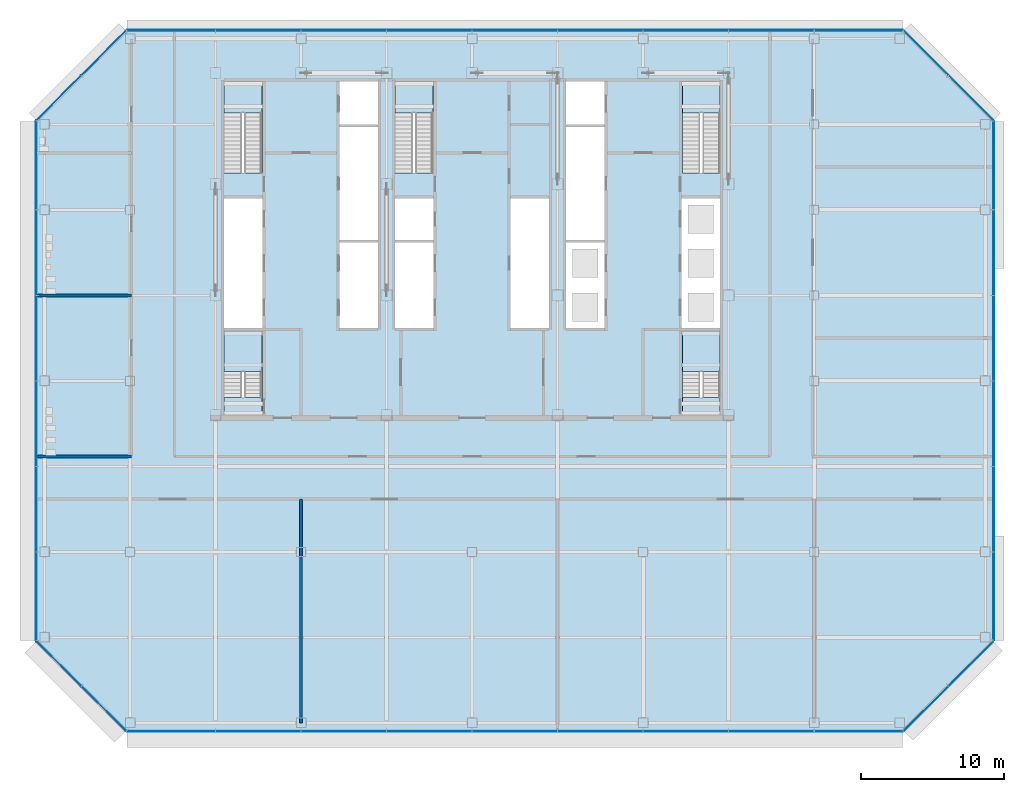
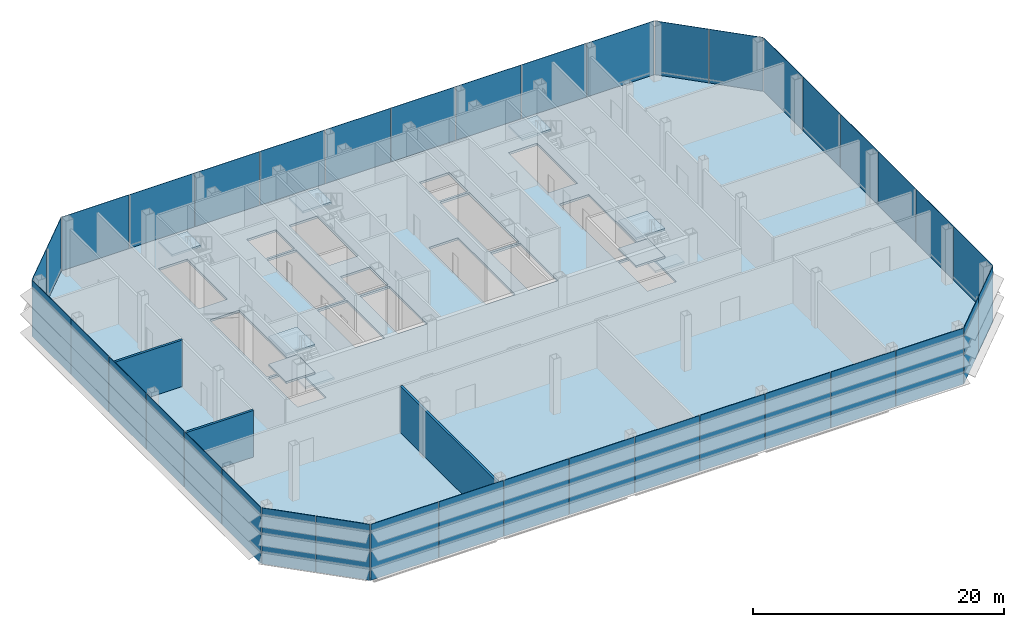
# One storey, part 15 of 24: 38 plates, 10 slabs, 3 walls, 13 elements without a shape of their own.
"""IFC4 building model written with IfcOpenShell, lengths in metres."""

from ifc_helpers import new_model, si_unit, direction, frame, frame_2d, origin, origin_2d, place, context, subcontext, project, spatial, polyline, rectangle, outline, extrude, material, layer, layer_set, type_object, element, aggregate, save


model = new_model("IFC4")

# Units and contexts
model_context = context("Model", 3, precision=1e-05, world=origin(), true_north=direction((0.0, 1.0)))
body_context = subcontext(model_context, "Body", "Model", "MODEL_VIEW")
ifc_project = project(units=[si_unit("LENGTHUNIT", "METRE"), si_unit("AREAUNIT", "SQUARE_METRE"), si_unit("VOLUMEUNIT", "CUBIC_METRE"), si_unit("PLANEANGLEUNIT", "RADIAN"), si_unit("MASSUNIT", "GRAM", prefix="KILO")], contexts=[model_context])

# Site, building, storey
site_placement = place(None, origin())
site = spatial("IfcSite", under=ifc_project, at=site_placement, CompositionType="ELEMENT")
building_placement = place(site_placement, origin())
building = spatial("IfcBuilding", under=site, at=building_placement, Name="Sorahane Residences", CompositionType="ELEMENT")
storey_placement = place(building_placement, frame((0.0, 0.0, 161.800048828125)))
storey = spatial("IfcBuildingStorey", under=building, at=storey_placement, Name="L37", CompositionType="ELEMENT", Elevation=161.800048828125)

# Slab
ifc_material_1 = material(Name="Concrete C35", Category="concrete")
ifc_layer_1 = layer(ifc_material_1, 0.219970703125)
ifc_layer_set_1 = layer_set([ifc_layer_1], Name="Composite floor slab 220 mm Concrete C35")
slab_type_1 = type_object("IfcSlabType", Name="Composite floor slab 220 mm Concrete C35", PredefinedType="FLOOR", material=ifc_layer_set_1)
slab_1_placement = place(storey_placement, frame((0.0, 0.0, -0.219970703125)))
element("IfcSlab", 1, at=slab_1_placement, inside=storey, type_object=slab_type_1, Name="Slab L37", PredefinedType="FLOOR", context=body_context, shape_type="SweptSolid", body=[
    extrude(outline(polyline([(-0.24853515625, -0.60009765625), (-6.60009765625, 5.75146484375), (-6.60009765625, 42.24853515625), (-0.24853515625, 48.60009765625), (54.24853515625, 48.60009765625), (60.60009765625, 42.24853515625), (60.60009765625, 5.75146484375), (54.24853515625, -0.60009765625), (-0.24853515625, -0.60009765625)]), holes=[polyline([(18.60009765625, 27.699951171875), (21.300048828125, 27.699951171875), (21.300048828125, 33.699951171875), (18.60009765625, 33.699951171875), (18.60009765625, 27.699951171875)]), polyline([(38.699951171875, 27.699951171875), (41.39990234375, 27.699951171875), (41.39990234375, 36.800048828125), (38.699951171875, 36.800048828125), (38.699951171875, 27.699951171875)]), polyline([(30.60009765625, 27.699951171875), (33.300048828125, 27.699951171875), (33.300048828125, 33.699951171875), (30.60009765625, 33.699951171875), (30.60009765625, 27.699951171875)]), polyline([(30.60009765625, 42.0), (33.300048828125, 42.0), (33.300048828125, 45.0), (30.60009765625, 45.0), (30.60009765625, 42.0)]), polyline([(14.699951171875, 27.699951171875), (17.39990234375, 27.699951171875), (17.39990234375, 33.699951171875), (14.699951171875, 33.699951171875), (14.699951171875, 27.699951171875)]), polyline([(14.699951171875, 42.0), (17.39990234375, 42.0), (17.39990234375, 45.0), (14.699951171875, 45.0), (14.699951171875, 42.0)]), polyline([(6.60009765625, 27.699951171875), (9.300048828125, 27.699951171875), (9.300048828125, 36.800048828125), (6.60009765625, 36.800048828125), (6.60009765625, 27.699951171875)]), polyline([(9.25, 38.60009765625), (9.25, 45.0), (6.60009765625, 45.0), (6.60009765625, 38.60009765625), (9.25, 38.60009765625)]), polyline([(41.39990234375, 38.60009765625), (41.39990234375, 45.0), (38.75, 45.0), (38.75, 38.60009765625), (41.39990234375, 38.60009765625)]), polyline([(21.25, 38.60009765625), (21.25, 45.0), (18.60009765625, 45.0), (18.60009765625, 38.60009765625), (21.25, 38.60009765625)]), polyline([(9.25, 22.85009765625), (9.25, 27.5), (6.60009765625, 27.5), (6.60009765625, 22.85009765625), (9.25, 22.85009765625)]), polyline([(41.39990234375, 22.85009765625), (41.39990234375, 27.5), (38.75, 27.5), (38.75, 22.85009765625), (41.39990234375, 22.85009765625)]), polyline([(14.699951171875, 33.89990234375), (17.39990234375, 33.89990234375), (17.39990234375, 41.800048828125), (14.699951171875, 41.800048828125), (14.699951171875, 33.89990234375)]), polyline([(30.60009765625, 33.89990234375), (33.300048828125, 33.89990234375), (33.300048828125, 41.800048828125), (30.60009765625, 41.800048828125), (30.60009765625, 33.89990234375)]), polyline([(18.60009765625, 33.89990234375), (21.300048828125, 33.89990234375), (21.300048828125, 36.800048828125), (18.60009765625, 36.800048828125), (18.60009765625, 33.89990234375)]), polyline([(26.699951171875, 27.699951171875), (29.39990234375, 27.699951171875), (29.39990234375, 36.800048828125), (26.699951171875, 36.800048828125), (26.699951171875, 27.699951171875)])]), origin(), (0.0, 0.0, 1.0), 0.219970703125),
])

# Curtain wall, plates
ifc_material_2 = material(Name="Dark low-e glass and black anodised aluminium", Category="aluminium")
curtain_wall_type = type_object("IfcCurtainWallType", Name="Curtain wall CW-4 Sky floor frameless wall", PredefinedType="NOTDEFINED", material=ifc_material_2)
curtain_wall_1_placement = place(storey_placement, origin())
curtain_wall_1 = element("IfcCurtainWall", 2, at=curtain_wall_1_placement, inside=storey, type_object=curtain_wall_type, Name="CW-4 curtain wall L37 S1", PredefinedType="NOTDEFINED")
ifc_material_3 = material(Name="Dark low-e glass with black ceramic frit", Category="glass")
ifc_layer_2 = layer(ifc_material_3, 0.0400390625)
ifc_layer_set_2 = layer_set([ifc_layer_2], Name="Curtain wall glass panel dark low-e frameless with black frit band")
plate_type = type_object("IfcPlateType", Name="Curtain wall glass panel dark low-e frameless with black frit band", PredefinedType="CURTAIN_PANEL", material=ifc_layer_set_2)
plate_1_placement = place(storey_placement, frame((2.88818359375, -0.60009765625, -0.219970703125), z_axis=(0.0, 0.0, 1.0), x_axis=(1.0, 0.0, 0.0)))
plate_1 = element("IfcPlate", 3, at=plate_1_placement, type_object=plate_type, Name="CW-4 glass panel L37 S1.1", PredefinedType="CURTAIN_PANEL", context=body_context, shape_type="SweptSolid", body=[
    extrude(rectangle(XDim=6.173583984375, YDim=0.0400390625, at=origin_2d()), origin(), (0.0, 0.0, 1.0), 5.43994140625),
])
plate_2_placement = place(storey_placement, frame((9.0, -0.60009765625, -0.219970703125), z_axis=(0.0, 0.0, 1.0), x_axis=(1.0, 0.0, 0.0)))
plate_2 = element("IfcPlate", 4, at=plate_2_placement, type_object=plate_type, Name="CW-4 glass panel L37 S1.2", PredefinedType="CURTAIN_PANEL", context=body_context, shape_type="SweptSolid", body=[
    extrude(rectangle(XDim=5.949951171875, YDim=0.0400390625, at=origin_2d()), origin(), (0.0, 0.0, 1.0), 5.43994140625),
])
plate_3_placement = place(storey_placement, frame((15.0, -0.60009765625, -0.219970703125), z_axis=(0.0, 0.0, 1.0), x_axis=(1.0, 0.0, 0.0)))
plate_3 = element("IfcPlate", 5, at=plate_3_placement, type_object=plate_type, Name="CW-4 glass panel L37 S1.3", PredefinedType="CURTAIN_PANEL", context=body_context, shape_type="SweptSolid", body=[
    extrude(rectangle(XDim=5.949951171875, YDim=0.0400390625, at=origin_2d()), origin(), (0.0, 0.0, 1.0), 5.43994140625),
])
plate_4_placement = place(storey_placement, frame((21.0, -0.60009765625, -0.219970703125), z_axis=(0.0, 0.0, 1.0), x_axis=(1.0, 0.0, 0.0)))
plate_4 = element("IfcPlate", 6, at=plate_4_placement, type_object=plate_type, Name="CW-4 glass panel L37 S1.4", PredefinedType="CURTAIN_PANEL", context=body_context, shape_type="SweptSolid", body=[
    extrude(rectangle(XDim=5.949951171875, YDim=0.0400390625, at=origin_2d()), origin(), (0.0, 0.0, 1.0), 5.43994140625),
])
plate_5_placement = place(storey_placement, frame((27.0, -0.60009765625, -0.219970703125), z_axis=(0.0, 0.0, 1.0), x_axis=(1.0, 0.0, 0.0)))
plate_5 = element("IfcPlate", 7, at=plate_5_placement, type_object=plate_type, Name="CW-4 glass panel L37 S1.5", PredefinedType="CURTAIN_PANEL", context=body_context, shape_type="SweptSolid", body=[
    extrude(rectangle(XDim=5.949951171875, YDim=0.0400390625, at=origin_2d()), origin(), (0.0, 0.0, 1.0), 5.43994140625),
])
plate_6_placement = place(storey_placement, frame((33.0, -0.60009765625, -0.219970703125), z_axis=(0.0, 0.0, 1.0), x_axis=(1.0, 0.0, 0.0)))
plate_6 = element("IfcPlate", 8, at=plate_6_placement, type_object=plate_type, Name="CW-4 glass panel L37 S1.6", PredefinedType="CURTAIN_PANEL", context=body_context, shape_type="SweptSolid", body=[
    extrude(rectangle(XDim=5.949951171875, YDim=0.0400390625, at=origin_2d()), origin(), (0.0, 0.0, 1.0), 5.43994140625),
])
plate_7_placement = place(storey_placement, frame((39.0, -0.60009765625, -0.219970703125), z_axis=(0.0, 0.0, 1.0), x_axis=(1.0, 0.0, 0.0)))
plate_7 = element("IfcPlate", 9, at=plate_7_placement, type_object=plate_type, Name="CW-4 glass panel L37 S1.7", PredefinedType="CURTAIN_PANEL", context=body_context, shape_type="SweptSolid", body=[
    extrude(rectangle(XDim=5.949951171875, YDim=0.0400390625, at=origin_2d()), origin(), (0.0, 0.0, 1.0), 5.43994140625),
])
plate_8_placement = place(storey_placement, frame((45.0, -0.60009765625, -0.219970703125), z_axis=(0.0, 0.0, 1.0), x_axis=(1.0, 0.0, 0.0)))
plate_8 = element("IfcPlate", 10, at=plate_8_placement, type_object=plate_type, Name="CW-4 glass panel L37 S1.8", PredefinedType="CURTAIN_PANEL", context=body_context, shape_type="SweptSolid", body=[
    extrude(rectangle(XDim=5.949951171875, YDim=0.0400390625, at=origin_2d()), origin(), (0.0, 0.0, 1.0), 5.43994140625),
])
plate_9_placement = place(storey_placement, frame((51.11181640625, -0.60009765625, -0.219970703125), z_axis=(0.0, 0.0, 1.0), x_axis=(1.0, 0.0, 0.0)))
plate_9 = element("IfcPlate", 11, at=plate_9_placement, type_object=plate_type, Name="CW-4 glass panel L37 S1.9", PredefinedType="CURTAIN_PANEL", context=body_context, shape_type="SweptSolid", body=[
    extrude(rectangle(XDim=6.173583984375, YDim=0.0400390625, at=origin_2d()), origin(), (0.0, 0.0, 1.0), 5.43994140625),
])
aggregate(curtain_wall_1, [plate_1, plate_2, plate_3, plate_4, plate_5, plate_6, plate_7, plate_8, plate_9])

curtain_wall_2_placement = place(storey_placement, origin())
curtain_wall_2 = element("IfcCurtainWall", 12, at=curtain_wall_2_placement, inside=storey, type_object=curtain_wall_type, Name="CW-4 curtain wall L37 SE1", PredefinedType="NOTDEFINED")
plate_10_placement = place(storey_placement, frame((55.84521484375, 0.996826171875, -0.219970703125), z_axis=(0.0, 0.0, 1.0), x_axis=(0.707106781187, 0.707106781187, 0.0)))
plate_10 = element("IfcPlate", 13, at=plate_10_placement, type_object=plate_type, Name="CW-4 glass panel L37 SE1.1", PredefinedType="CURTAIN_PANEL", context=body_context, shape_type="SweptSolid", body=[
    extrude(rectangle(XDim=4.416259765625, YDim=0.0400390625, at=origin_2d()), origin(), (0.0, 0.0, 1.0), 5.43994140625),
])
plate_11_placement = place(storey_placement, frame((59.003173828125, 4.15478515625, -0.219970703125), z_axis=(0.0, 0.0, 1.0), x_axis=(0.707106781187, 0.707106781187, 0.0)))
plate_11 = element("IfcPlate", 14, at=plate_11_placement, type_object=plate_type, Name="CW-4 glass panel L37 SE1.2", PredefinedType="CURTAIN_PANEL", context=body_context, shape_type="SweptSolid", body=[
    extrude(rectangle(XDim=4.416259765625, YDim=0.0400390625, at=origin_2d()), origin(), (0.0, 0.0, 1.0), 5.43994140625),
])
aggregate(curtain_wall_2, [plate_10, plate_11])

curtain_wall_3_placement = place(storey_placement, origin())
curtain_wall_3 = element("IfcCurtainWall", 15, at=curtain_wall_3_placement, inside=storey, type_object=curtain_wall_type, Name="CW-4 curtain wall L37 E1", PredefinedType="NOTDEFINED")
plate_12_placement = place(storey_placement, frame((60.60009765625, 8.88818359375, -0.219970703125), z_axis=(0.0, 0.0, 1.0), x_axis=(0.0, 1.0, 0.0)))
plate_12 = element("IfcPlate", 16, at=plate_12_placement, type_object=plate_type, Name="CW-4 glass panel L37 E1.1", PredefinedType="CURTAIN_PANEL", context=body_context, shape_type="SweptSolid", body=[
    extrude(rectangle(XDim=6.173583984375, YDim=0.0400390625, at=origin_2d()), origin(), (0.0, 0.0, 1.0), 5.43994140625),
])
plate_13_placement = place(storey_placement, frame((60.60009765625, 15.0, -0.219970703125), z_axis=(0.0, 0.0, 1.0), x_axis=(0.0, 1.0, 0.0)))
plate_13 = element("IfcPlate", 17, at=plate_13_placement, type_object=plate_type, Name="CW-4 glass panel L37 E1.2", PredefinedType="CURTAIN_PANEL", context=body_context, shape_type="SweptSolid", body=[
    extrude(rectangle(XDim=5.949951171875, YDim=0.0400390625, at=origin_2d()), origin(), (0.0, 0.0, 1.0), 5.43994140625),
])
plate_14_placement = place(storey_placement, frame((60.60009765625, 21.0, -0.219970703125), z_axis=(0.0, 0.0, 1.0), x_axis=(0.0, 1.0, 0.0)))
plate_14 = element("IfcPlate", 18, at=plate_14_placement, type_object=plate_type, Name="CW-4 glass panel L37 E1.3", PredefinedType="CURTAIN_PANEL", context=body_context, shape_type="SweptSolid", body=[
    extrude(rectangle(XDim=5.949951171875, YDim=0.0400390625, at=origin_2d()), origin(), (0.0, 0.0, 1.0), 5.43994140625),
])
plate_15_placement = place(storey_placement, frame((60.60009765625, 27.0, -0.219970703125), z_axis=(0.0, 0.0, 1.0), x_axis=(0.0, 1.0, 0.0)))
plate_15 = element("IfcPlate", 19, at=plate_15_placement, type_object=plate_type, Name="CW-4 glass panel L37 E1.4", PredefinedType="CURTAIN_PANEL", context=body_context, shape_type="SweptSolid", body=[
    extrude(rectangle(XDim=5.949951171875, YDim=0.0400390625, at=origin_2d()), origin(), (0.0, 0.0, 1.0), 5.43994140625),
])
plate_16_placement = place(storey_placement, frame((60.60009765625, 33.0, -0.219970703125), z_axis=(0.0, 0.0, 1.0), x_axis=(0.0, 1.0, 0.0)))
plate_16 = element("IfcPlate", 20, at=plate_16_placement, type_object=plate_type, Name="CW-4 glass panel L37 E1.5", PredefinedType="CURTAIN_PANEL", context=body_context, shape_type="SweptSolid", body=[
    extrude(rectangle(XDim=5.949951171875, YDim=0.0400390625, at=origin_2d()), origin(), (0.0, 0.0, 1.0), 5.43994140625),
])
plate_17_placement = place(storey_placement, frame((60.60009765625, 39.11181640625, -0.219970703125), z_axis=(0.0, 0.0, 1.0), x_axis=(0.0, 1.0, 0.0)))
plate_17 = element("IfcPlate", 21, at=plate_17_placement, type_object=plate_type, Name="CW-4 glass panel L37 E1.6", PredefinedType="CURTAIN_PANEL", context=body_context, shape_type="SweptSolid", body=[
    extrude(rectangle(XDim=6.173583984375, YDim=0.0400390625, at=origin_2d()), origin(), (0.0, 0.0, 1.0), 5.43994140625),
])
aggregate(curtain_wall_3, [plate_12, plate_13, plate_14, plate_15, plate_16, plate_17])

curtain_wall_4_placement = place(storey_placement, origin())
curtain_wall_4 = element("IfcCurtainWall", 22, at=curtain_wall_4_placement, inside=storey, type_object=curtain_wall_type, Name="CW-4 curtain wall L37 NE1", PredefinedType="NOTDEFINED")
plate_18_placement = place(storey_placement, frame((59.003173828125, 43.84521484375, -0.219970703125), z_axis=(0.0, 0.0, 1.0), x_axis=(-0.707106781187, 0.707106781187, 0.0)))
plate_18 = element("IfcPlate", 23, at=plate_18_placement, type_object=plate_type, Name="CW-4 glass panel L37 NE1.1", PredefinedType="CURTAIN_PANEL", context=body_context, shape_type="SweptSolid", body=[
    extrude(rectangle(XDim=4.416259765625, YDim=0.0400390625, at=origin_2d()), origin(), (0.0, 0.0, 1.0), 5.43994140625),
])
plate_19_placement = place(storey_placement, frame((55.84521484375, 47.003173828125, -0.219970703125), z_axis=(0.0, 0.0, 1.0), x_axis=(-0.707106781187, 0.707106781187, 0.0)))
plate_19 = element("IfcPlate", 24, at=plate_19_placement, type_object=plate_type, Name="CW-4 glass panel L37 NE1.2", PredefinedType="CURTAIN_PANEL", context=body_context, shape_type="SweptSolid", body=[
    extrude(rectangle(XDim=4.416259765625, YDim=0.0400390625, at=origin_2d()), origin(), (0.0, 0.0, 1.0), 5.43994140625),
])
aggregate(curtain_wall_4, [plate_18, plate_19])

curtain_wall_5_placement = place(storey_placement, origin())
curtain_wall_5 = element("IfcCurtainWall", 25, at=curtain_wall_5_placement, inside=storey, type_object=curtain_wall_type, Name="CW-4 curtain wall L37 N1", PredefinedType="NOTDEFINED")
plate_20_placement = place(storey_placement, frame((51.11181640625, 48.60009765625, -0.219970703125), z_axis=(0.0, 0.0, 1.0), x_axis=(-1.0, 0.0, 0.0)))
plate_20 = element("IfcPlate", 26, at=plate_20_placement, type_object=plate_type, Name="CW-4 glass panel L37 N1.1", PredefinedType="CURTAIN_PANEL", context=body_context, shape_type="SweptSolid", body=[
    extrude(rectangle(XDim=6.173583984375, YDim=0.0400390625, at=origin_2d()), origin(), (0.0, 0.0, 1.0), 5.43994140625),
])
plate_21_placement = place(storey_placement, frame((45.0, 48.60009765625, -0.219970703125), z_axis=(0.0, 0.0, 1.0), x_axis=(-1.0, 0.0, 0.0)))
plate_21 = element("IfcPlate", 27, at=plate_21_placement, type_object=plate_type, Name="CW-4 glass panel L37 N1.2", PredefinedType="CURTAIN_PANEL", context=body_context, shape_type="SweptSolid", body=[
    extrude(rectangle(XDim=5.949951171875, YDim=0.0400390625, at=origin_2d()), origin(), (0.0, 0.0, 1.0), 5.43994140625),
])
plate_22_placement = place(storey_placement, frame((39.0, 48.60009765625, -0.219970703125), z_axis=(0.0, 0.0, 1.0), x_axis=(-1.0, 0.0, 0.0)))
plate_22 = element("IfcPlate", 28, at=plate_22_placement, type_object=plate_type, Name="CW-4 glass panel L37 N1.3", PredefinedType="CURTAIN_PANEL", context=body_context, shape_type="SweptSolid", body=[
    extrude(rectangle(XDim=5.949951171875, YDim=0.0400390625, at=origin_2d()), origin(), (0.0, 0.0, 1.0), 5.43994140625),
])
plate_23_placement = place(storey_placement, frame((33.0, 48.60009765625, -0.219970703125), z_axis=(0.0, 0.0, 1.0), x_axis=(-1.0, 0.0, 0.0)))
plate_23 = element("IfcPlate", 29, at=plate_23_placement, type_object=plate_type, Name="CW-4 glass panel L37 N1.4", PredefinedType="CURTAIN_PANEL", context=body_context, shape_type="SweptSolid", body=[
    extrude(rectangle(XDim=5.949951171875, YDim=0.0400390625, at=origin_2d()), origin(), (0.0, 0.0, 1.0), 5.43994140625),
])
plate_24_placement = place(storey_placement, frame((27.0, 48.60009765625, -0.219970703125), z_axis=(0.0, 0.0, 1.0), x_axis=(-1.0, 0.0, 0.0)))
plate_24 = element("IfcPlate", 30, at=plate_24_placement, type_object=plate_type, Name="CW-4 glass panel L37 N1.5", PredefinedType="CURTAIN_PANEL", context=body_context, shape_type="SweptSolid", body=[
    extrude(rectangle(XDim=5.949951171875, YDim=0.0400390625, at=origin_2d()), origin(), (0.0, 0.0, 1.0), 5.43994140625),
])
plate_25_placement = place(storey_placement, frame((21.0, 48.60009765625, -0.219970703125), z_axis=(0.0, 0.0, 1.0), x_axis=(-1.0, 0.0, 0.0)))
plate_25 = element("IfcPlate", 31, at=plate_25_placement, type_object=plate_type, Name="CW-4 glass panel L37 N1.6", PredefinedType="CURTAIN_PANEL", context=body_context, shape_type="SweptSolid", body=[
    extrude(rectangle(XDim=5.949951171875, YDim=0.0400390625, at=origin_2d()), origin(), (0.0, 0.0, 1.0), 5.43994140625),
])
plate_26_placement = place(storey_placement, frame((15.0, 48.60009765625, -0.219970703125), z_axis=(0.0, 0.0, 1.0), x_axis=(-1.0, 0.0, 0.0)))
plate_26 = element("IfcPlate", 32, at=plate_26_placement, type_object=plate_type, Name="CW-4 glass panel L37 N1.7", PredefinedType="CURTAIN_PANEL", context=body_context, shape_type="SweptSolid", body=[
    extrude(rectangle(XDim=5.949951171875, YDim=0.0400390625, at=origin_2d()), origin(), (0.0, 0.0, 1.0), 5.43994140625),
])
plate_27_placement = place(storey_placement, frame((9.0, 48.60009765625, -0.219970703125), z_axis=(0.0, 0.0, 1.0), x_axis=(-1.0, 0.0, 0.0)))
plate_27 = element("IfcPlate", 33, at=plate_27_placement, type_object=plate_type, Name="CW-4 glass panel L37 N1.8", PredefinedType="CURTAIN_PANEL", context=body_context, shape_type="SweptSolid", body=[
    extrude(rectangle(XDim=5.949951171875, YDim=0.0400390625, at=origin_2d()), origin(), (0.0, 0.0, 1.0), 5.43994140625),
])
plate_28_placement = place(storey_placement, frame((2.88818359375, 48.60009765625, -0.219970703125), z_axis=(0.0, 0.0, 1.0), x_axis=(-1.0, 0.0, 0.0)))
plate_28 = element("IfcPlate", 34, at=plate_28_placement, type_object=plate_type, Name="CW-4 glass panel L37 N1.9", PredefinedType="CURTAIN_PANEL", context=body_context, shape_type="SweptSolid", body=[
    extrude(rectangle(XDim=6.173583984375, YDim=0.0400390625, at=origin_2d()), origin(), (0.0, 0.0, 1.0), 5.43994140625),
])
aggregate(curtain_wall_5, [plate_20, plate_21, plate_22, plate_23, plate_24, plate_25, plate_26, plate_27, plate_28])

curtain_wall_6_placement = place(storey_placement, origin())
curtain_wall_6 = element("IfcCurtainWall", 35, at=curtain_wall_6_placement, inside=storey, type_object=curtain_wall_type, Name="CW-4 curtain wall L37 NW1", PredefinedType="NOTDEFINED")
plate_29_placement = place(storey_placement, frame((-1.84521484375, 47.003173828125, -0.219970703125), z_axis=(0.0, 0.0, 1.0), x_axis=(-0.707106781187, -0.707106781187, 0.0)))
plate_29 = element("IfcPlate", 36, at=plate_29_placement, type_object=plate_type, Name="CW-4 glass panel L37 NW1.1", PredefinedType="CURTAIN_PANEL", context=body_context, shape_type="SweptSolid", body=[
    extrude(rectangle(XDim=4.416259765625, YDim=0.0400390625, at=origin_2d()), origin(), (0.0, 0.0, 1.0), 5.43994140625),
])
plate_30_placement = place(storey_placement, frame((-5.003173828125, 43.84521484375, -0.219970703125), z_axis=(0.0, 0.0, 1.0), x_axis=(-0.707106781187, -0.707106781187, 0.0)))
plate_30 = element("IfcPlate", 37, at=plate_30_placement, type_object=plate_type, Name="CW-4 glass panel L37 NW1.2", PredefinedType="CURTAIN_PANEL", context=body_context, shape_type="SweptSolid", body=[
    extrude(rectangle(XDim=4.416259765625, YDim=0.0400390625, at=origin_2d()), origin(), (0.0, 0.0, 1.0), 5.43994140625),
])
aggregate(curtain_wall_6, [plate_29, plate_30])

curtain_wall_7_placement = place(storey_placement, origin())
curtain_wall_7 = element("IfcCurtainWall", 38, at=curtain_wall_7_placement, inside=storey, type_object=curtain_wall_type, Name="CW-4 curtain wall L37 W1", PredefinedType="NOTDEFINED")
plate_31_placement = place(storey_placement, frame((-6.60009765625, 39.11181640625, -0.219970703125), z_axis=(0.0, 0.0, 1.0), x_axis=(0.0, -1.0, 0.0)))
plate_31 = element("IfcPlate", 39, at=plate_31_placement, type_object=plate_type, Name="CW-4 glass panel L37 W1.1", PredefinedType="CURTAIN_PANEL", context=body_context, shape_type="SweptSolid", body=[
    extrude(rectangle(XDim=6.173583984375, YDim=0.0400390625, at=origin_2d()), origin(), (0.0, 0.0, 1.0), 5.43994140625),
])
plate_32_placement = place(storey_placement, frame((-6.60009765625, 33.0, -0.219970703125), z_axis=(0.0, 0.0, 1.0), x_axis=(0.0, -1.0, 0.0)))
plate_32 = element("IfcPlate", 40, at=plate_32_placement, type_object=plate_type, Name="CW-4 glass panel L37 W1.2", PredefinedType="CURTAIN_PANEL", context=body_context, shape_type="SweptSolid", body=[
    extrude(rectangle(XDim=5.949951171875, YDim=0.0400390625, at=origin_2d()), origin(), (0.0, 0.0, 1.0), 5.43994140625),
])
plate_33_placement = place(storey_placement, frame((-6.60009765625, 27.0, -0.219970703125), z_axis=(0.0, 0.0, 1.0), x_axis=(0.0, -1.0, 0.0)))
plate_33 = element("IfcPlate", 41, at=plate_33_placement, type_object=plate_type, Name="CW-4 glass panel L37 W1.3", PredefinedType="CURTAIN_PANEL", context=body_context, shape_type="SweptSolid", body=[
    extrude(rectangle(XDim=5.949951171875, YDim=0.0400390625, at=origin_2d()), origin(), (0.0, 0.0, 1.0), 5.43994140625),
])
plate_34_placement = place(storey_placement, frame((-6.60009765625, 21.0, -0.219970703125), z_axis=(0.0, 0.0, 1.0), x_axis=(0.0, -1.0, 0.0)))
plate_34 = element("IfcPlate", 42, at=plate_34_placement, type_object=plate_type, Name="CW-4 glass panel L37 W1.4", PredefinedType="CURTAIN_PANEL", context=body_context, shape_type="SweptSolid", body=[
    extrude(rectangle(XDim=5.949951171875, YDim=0.0400390625, at=origin_2d()), origin(), (0.0, 0.0, 1.0), 5.43994140625),
])
plate_35_placement = place(storey_placement, frame((-6.60009765625, 15.0, -0.219970703125), z_axis=(0.0, 0.0, 1.0), x_axis=(0.0, -1.0, 0.0)))
plate_35 = element("IfcPlate", 43, at=plate_35_placement, type_object=plate_type, Name="CW-4 glass panel L37 W1.5", PredefinedType="CURTAIN_PANEL", context=body_context, shape_type="SweptSolid", body=[
    extrude(rectangle(XDim=5.949951171875, YDim=0.0400390625, at=origin_2d()), origin(), (0.0, 0.0, 1.0), 5.43994140625),
])
plate_36_placement = place(storey_placement, frame((-6.60009765625, 8.88818359375, -0.219970703125), z_axis=(0.0, 0.0, 1.0), x_axis=(0.0, -1.0, 0.0)))
plate_36 = element("IfcPlate", 44, at=plate_36_placement, type_object=plate_type, Name="CW-4 glass panel L37 W1.6", PredefinedType="CURTAIN_PANEL", context=body_context, shape_type="SweptSolid", body=[
    extrude(rectangle(XDim=6.173583984375, YDim=0.0400390625, at=origin_2d()), origin(), (0.0, 0.0, 1.0), 5.43994140625),
])
aggregate(curtain_wall_7, [plate_31, plate_32, plate_33, plate_34, plate_35, plate_36])

curtain_wall_8_placement = place(storey_placement, origin())
curtain_wall_8 = element("IfcCurtainWall", 45, at=curtain_wall_8_placement, inside=storey, type_object=curtain_wall_type, Name="CW-4 curtain wall L37 SW1", PredefinedType="NOTDEFINED")
plate_37_placement = place(storey_placement, frame((-5.003173828125, 4.15478515625, -0.219970703125), z_axis=(0.0, 0.0, 1.0), x_axis=(0.707106781187, -0.707106781187, 0.0)))
plate_37 = element("IfcPlate", 46, at=plate_37_placement, type_object=plate_type, Name="CW-4 glass panel L37 SW1.1", PredefinedType="CURTAIN_PANEL", context=body_context, shape_type="SweptSolid", body=[
    extrude(rectangle(XDim=4.416259765625, YDim=0.0400390625, at=origin_2d()), origin(), (0.0, 0.0, 1.0), 5.43994140625),
])
plate_38_placement = place(storey_placement, frame((-1.84521484375, 0.996826171875, -0.219970703125), z_axis=(0.0, 0.0, 1.0), x_axis=(0.707106781187, -0.707106781187, 0.0)))
plate_38 = element("IfcPlate", 47, at=plate_38_placement, type_object=plate_type, Name="CW-4 glass panel L37 SW1.2", PredefinedType="CURTAIN_PANEL", context=body_context, shape_type="SweptSolid", body=[
    extrude(rectangle(XDim=4.416259765625, YDim=0.0400390625, at=origin_2d()), origin(), (0.0, 0.0, 1.0), 5.43994140625),
])
aggregate(curtain_wall_8, [plate_37, plate_38])

# Stair, slab
ifc_material_4 = material(Name="Concrete C40", Category="concrete")
stair_type = type_object("IfcStairType", Name="Dog-leg stair 1250 Concrete C40", PredefinedType="HALF_TURN_STAIR", material=ifc_material_4)
stair_1_placement = place(storey_placement, origin())
stair_1 = element("IfcStair", 48, at=stair_1_placement, inside=storey, type_object=stair_type, Name="L37 Stair S1", PredefinedType="HALF_TURN_STAIR")
ifc_material_5 = material(Name="Concrete C40", Category="concrete")
ifc_layer_3 = layer(ifc_material_5, 0.199951171875)
ifc_layer_set_3 = layer_set([ifc_layer_3], Name="Stair landing 200 Concrete C40")
slab_type_2 = type_object("IfcSlabType", Name="Stair landing 200 Concrete C40", PredefinedType="LANDING", material=ifc_layer_set_3)
slab_2_placement = place(storey_placement, frame((0.0, 0.0, 2.5)))
slab_2 = element("IfcSlab", 49, at=slab_2_placement, type_object=slab_type_2, Name="S1 landing 1", PredefinedType="LANDING", context=body_context, shape_type="SweptSolid", body=[
    extrude(outline(polyline([(9.25, 42.800048828125), (9.25, 45.0), (6.60009765625, 45.0), (6.60009765625, 42.800048828125), (9.25, 42.800048828125)])), origin(), (0.0, 0.0, 1.0), 0.199951171875),
])
aggregate(stair_1, [slab_2])

stair_2_placement = place(storey_placement, origin())
stair_2 = element("IfcStair", 50, at=stair_2_placement, inside=storey, type_object=stair_type, Name="L37 Stair S2", PredefinedType="HALF_TURN_STAIR")
slab_3_placement = place(storey_placement, frame((0.0, 0.0, 2.5)))
slab_3 = element("IfcSlab", 51, at=slab_3_placement, type_object=slab_type_2, Name="S2 landing 1", PredefinedType="LANDING", context=body_context, shape_type="SweptSolid", body=[
    extrude(outline(polyline([(41.39990234375, 42.800048828125), (41.39990234375, 45.0), (38.75, 45.0), (38.75, 42.800048828125), (41.39990234375, 42.800048828125)])), origin(), (0.0, 0.0, 1.0), 0.199951171875),
])
aggregate(stair_2, [slab_3])

stair_3_placement = place(storey_placement, origin())
stair_3 = element("IfcStair", 52, at=stair_3_placement, inside=storey, type_object=stair_type, Name="L37 Stair S3", PredefinedType="HALF_TURN_STAIR")
slab_4_placement = place(storey_placement, frame((0.0, 0.0, 2.5)))
slab_4 = element("IfcSlab", 53, at=slab_4_placement, type_object=slab_type_2, Name="S3 landing 1", PredefinedType="LANDING", context=body_context, shape_type="SweptSolid", body=[
    extrude(outline(polyline([(21.25, 42.800048828125), (21.25, 45.0), (18.60009765625, 45.0), (18.60009765625, 42.800048828125), (21.25, 42.800048828125)])), origin(), (0.0, 0.0, 1.0), 0.199951171875),
])
aggregate(stair_3, [slab_4])

# Stair, slabs
stair_4_placement = place(storey_placement, origin())
stair_4 = element("IfcStair", 54, at=stair_4_placement, inside=storey, type_object=stair_type, Name="L37 Stair S4", PredefinedType="HALF_TURN_STAIR")
slab_5_placement = place(storey_placement, frame((0.0, 0.0, 1.14990234375)))
slab_5 = element("IfcSlab", 55, at=slab_5_placement, type_object=slab_type_2, Name="S4 landing 1", PredefinedType="LANDING", context=body_context, shape_type="SweptSolid", body=[
    extrude(outline(polyline([(9.25, 24.669921875), (9.25, 27.5), (6.60009765625, 27.5), (6.60009765625, 24.669921875), (9.25, 24.669921875)])), origin(), (0.0, 0.0, 1.0), 0.199951171875),
])
slab_6_placement = place(storey_placement, frame((0.0, 0.0, 2.5)))
slab_6 = element("IfcSlab", 56, at=slab_6_placement, type_object=slab_type_2, Name="S4 landing 2", PredefinedType="LANDING", context=body_context, shape_type="SweptSolid", body=[
    extrude(outline(polyline([(9.25, 21.60009765625), (9.25, 22.85009765625), (6.60009765625, 22.85009765625), (6.60009765625, 21.60009765625), (9.25, 21.60009765625)])), origin(), (0.0, 0.0, 1.0), 0.199951171875),
])
slab_7_placement = place(storey_placement, frame((0.0, 0.0, 3.849853515625)))
slab_7 = element("IfcSlab", 57, at=slab_7_placement, type_object=slab_type_2, Name="S4 landing 3", PredefinedType="LANDING", context=body_context, shape_type="SweptSolid", body=[
    extrude(outline(polyline([(9.25, 24.669921875), (9.25, 27.5), (6.60009765625, 27.5), (6.60009765625, 24.669921875), (9.25, 24.669921875)])), origin(), (0.0, 0.0, 1.0), 0.2001953125),
])
aggregate(stair_4, [slab_5, slab_6, slab_7])

stair_5_placement = place(storey_placement, origin())
stair_5 = element("IfcStair", 58, at=stair_5_placement, inside=storey, type_object=stair_type, Name="L37 Stair S5", PredefinedType="HALF_TURN_STAIR")
slab_8_placement = place(storey_placement, frame((0.0, 0.0, 1.14990234375)))
slab_8 = element("IfcSlab", 59, at=slab_8_placement, type_object=slab_type_2, Name="S5 landing 1", PredefinedType="LANDING", context=body_context, shape_type="SweptSolid", body=[
    extrude(outline(polyline([(41.39990234375, 24.669921875), (41.39990234375, 27.5), (38.75, 27.5), (38.75, 24.669921875), (41.39990234375, 24.669921875)])), origin(), (0.0, 0.0, 1.0), 0.199951171875),
])
slab_9_placement = place(storey_placement, frame((0.0, 0.0, 2.5)))
slab_9 = element("IfcSlab", 60, at=slab_9_placement, type_object=slab_type_2, Name="S5 landing 2", PredefinedType="LANDING", context=body_context, shape_type="SweptSolid", body=[
    extrude(outline(polyline([(41.39990234375, 21.60009765625), (41.39990234375, 22.85009765625), (38.75, 22.85009765625), (38.75, 21.60009765625), (41.39990234375, 21.60009765625)])), origin(), (0.0, 0.0, 1.0), 0.199951171875),
])
slab_10_placement = place(storey_placement, frame((0.0, 0.0, 3.849853515625)))
slab_10 = element("IfcSlab", 61, at=slab_10_placement, type_object=slab_type_2, Name="S5 landing 3", PredefinedType="LANDING", context=body_context, shape_type="SweptSolid", body=[
    extrude(outline(polyline([(41.39990234375, 24.669921875), (41.39990234375, 27.5), (38.75, 27.5), (38.75, 24.669921875), (41.39990234375, 24.669921875)])), origin(), (0.0, 0.0, 1.0), 0.2001953125),
])
aggregate(stair_5, [slab_8, slab_9, slab_10])

# Walls
ifc_material_6 = material(Name="Concrete blockwork C20 wall", Category="masonry")
ifc_layer_4 = layer(ifc_material_6, 0.199951171875)
ifc_layer_set_4 = layer_set([ifc_layer_4], Name="Corridor wall 200 EI 120")
wall_type = type_object("IfcWallType", Name="Corridor wall 200 EI 120", PredefinedType="SOLIDWALL", material=ifc_layer_set_4)
wall_placement = place(storey_placement, frame((12.0, 0.0, 0.0), z_axis=(0.0, 0.0, 1.0), x_axis=(0.0, 1.0, 0.0)))
element("IfcWall", 62, at=wall_placement, inside=storey, type_object=wall_type, Name="L37 corridor wall", PredefinedType="SOLIDWALL", context=body_context, shape_type="SweptSolid", body=[
    extrude(rectangle(XDim=15.699951171875, YDim=0.199951171875, at=frame_2d((7.85009765625, 0.0))), origin(), (0.0, 0.0, 1.0), 4.52001953125),
])
for number, where, z_axis, x_axis, name in (
    (63, (-6.60009765625, 18.699951171875, 0.0), (0.0, 0.0, 1.0), (1.0, 0.0, 0.0), "L37 corridor wall"),
    (64, (-6.60009765625, 30.0, 0.0), (0.0, 0.0, 1.0), (1.0, 0.0, 0.0), "L37 corridor wall"),
):
    element("IfcWall", number, at=place(storey_placement, frame(where, z_axis=z_axis, x_axis=x_axis)), inside=storey, type_object=wall_type, Name=name, PredefinedType="SOLIDWALL", context=body_context, shape_type="SweptSolid", body=[
        extrude(rectangle(XDim=6.7001953125, YDim=0.199951171875, at=frame_2d((3.35009765625, 0.0))), origin(), (0.0, 0.0, 1.0), 4.52001953125),
    ])

save(model, "model.ifc")
